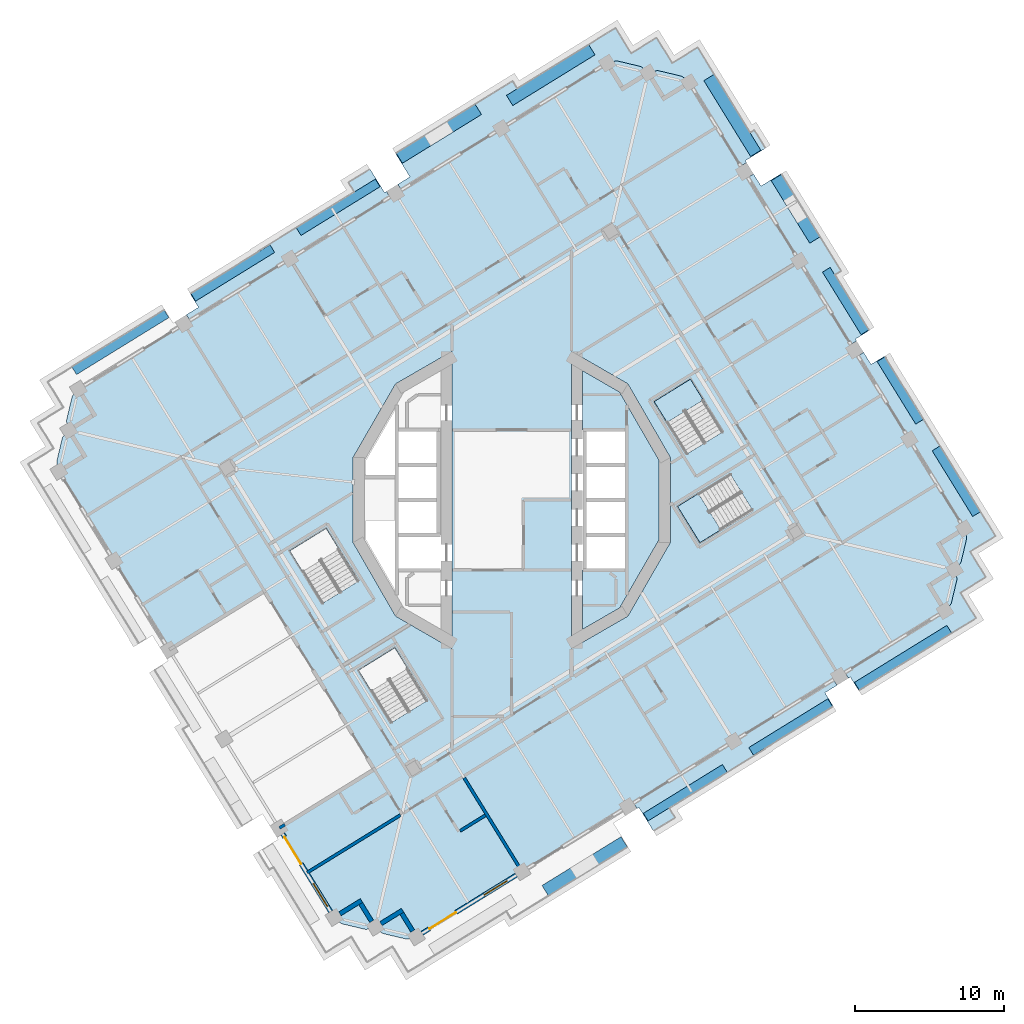
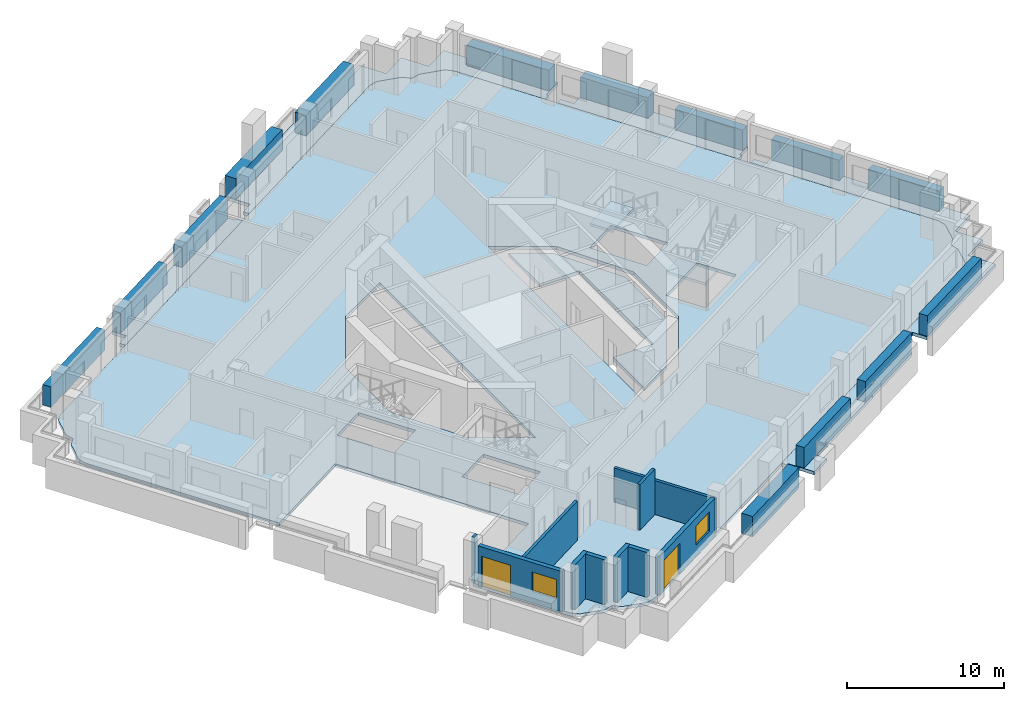
# One storey, part 3 of 20: 14 plates, 10 walls, 9 slabs, 2 doors, 2 windows, 4 openings, 2 elements without a shape of their own.
"""IFC4 building model written with IfcOpenShell, lengths in metres."""

from ifc_helpers import new_model, si_unit, direction, frame, frame_2d, origin, origin_2d, place, context, subcontext, project, spatial, polyline, rectangle, outline, extrude, material, layer, layer_set, type_object, element, fill, aggregate, save


model = new_model("IFC4")

# Units and contexts
model_context = context("Model", 3, precision=1e-05, world=origin(), true_north=direction((0.0, 1.0)))
body_context = subcontext(model_context, "Body", "Model", "MODEL_VIEW")
ifc_project = project(units=[si_unit("LENGTHUNIT", "METRE"), si_unit("AREAUNIT", "SQUARE_METRE"), si_unit("VOLUMEUNIT", "CUBIC_METRE"), si_unit("PLANEANGLEUNIT", "RADIAN"), si_unit("MASSUNIT", "GRAM", prefix="KILO")], contexts=[model_context])

# Site, building, storey
site_placement = place(None, origin())
site = spatial("IfcSite", under=ifc_project, at=site_placement, CompositionType="ELEMENT")
building_placement = place(site_placement, origin())
building = spatial("IfcBuilding", under=site, at=building_placement, Name="Cantera Rosa Tower", CompositionType="ELEMENT")
storey_placement = place(building_placement, frame((0.0, 0.0, 159.0)))
storey = spatial("IfcBuildingStorey", under=building, at=storey_placement, Name="L34", CompositionType="ELEMENT", Elevation=159.0)

# Slabs
ifc_material_1 = material(Name="Concrete C35/45", Category="concrete")
ifc_layer_1 = layer(ifc_material_1, 0.25)
ifc_layer_set_1 = layer_set([ifc_layer_1], Name="COMPOSITE FLOOR SLAB 250 C35/45")
slab_type_1 = type_object("IfcSlabType", Name="COMPOSITE FLOOR SLAB 250 C35/45", PredefinedType="FLOOR", material=ifc_layer_set_1)
slab_1_placement = place(storey_placement, frame((0.0, 0.0, -0.25)))
element("IfcSlab", 1, at=slab_1_placement, inside=storey, type_object=slab_type_1, Name="SLAB L34 floor 2", PredefinedType="FLOOR", context=body_context, shape_type="SweptSolid", body=[
    extrude(outline(polyline([(-8.673828125, -29.014892578125), (-8.698486328125, -28.998779296875), (-8.721435546875, -28.98046875), (-9.14208984375, -28.60888671875), (-9.684814453125, -28.752197265625), (-9.713623046875, -28.75830078125), (-9.742919921875, -28.761474609375), (-9.772216796875, -28.76171875), (-9.801513671875, -28.75927734375), (-9.83056640625, -28.75390625), (-11.34423828125, -28.395263671875), (-11.37255859375, -28.386962890625), (-11.39990234375, -28.376220703125), (-11.426025390625, -28.362548828125), (-11.45068359375, -28.346435546875), (-11.4736328125, -28.328125), (-11.894287109375, -27.95654296875), (-12.408935546875, -27.122314453125), (-15.57958984375, -21.981689453125), (-9.1962890625, -18.04443359375), (-16.56689453125, -6.0947265625), (-22.950439453125, -10.031982421875), (-30.321044921875, 1.917724609375), (-30.46435546875, 2.460205078125), (-30.470458984375, 2.489013671875), (-30.4736328125, 2.518310546875), (-30.47412109375, 2.5478515625), (-30.4716796875, 2.5771484375), (-30.46630859375, 2.606201171875), (-30.107421875, 4.119873046875), (-30.09912109375, 4.148193359375), (-30.08837890625, 4.17529296875), (-30.07470703125, 4.20166015625), (-30.05859375, 4.226318359375), (-30.040283203125, 4.249267578125), (-29.668701171875, 4.669921875), (-29.81201171875, 5.21240234375), (-29.818115234375, 5.2412109375), (-29.8212890625, 5.2705078125), (-29.82177734375, 5.300048828125), (-29.8193359375, 5.329345703125), (-29.81396484375, 5.3583984375), (-29.455078125, 6.8720703125), (-29.447021484375, 6.900390625), (-29.43603515625, 6.927490234375), (-29.422607421875, 6.953857421875), (-29.406494140625, 6.978515625), (-29.38818359375, 7.00146484375), (-29.0166015625, 7.422119140625), (6.389892578125, 29.260986328125), (6.9326171875, 29.404296875), (6.96142578125, 29.410400390625), (6.99072265625, 29.413818359375), (7.02001953125, 29.4140625), (7.049560546875, 29.41162109375), (7.078369140625, 29.40625), (8.592041015625, 29.047607421875), (8.620361328125, 29.039306640625), (8.647705078125, 29.0283203125), (8.673828125, 29.014892578125), (8.698486328125, 28.998779296875), (8.721435546875, 28.98046875), (9.14208984375, 28.60888671875), (9.684814453125, 28.752197265625), (9.713623046875, 28.75830078125), (9.742919921875, 28.761474609375), (9.772216796875, 28.76171875), (9.801513671875, 28.75927734375), (9.83056640625, 28.75390625), (11.34423828125, 28.395263671875), (11.37255859375, 28.386962890625), (11.39990234375, 28.376220703125), (11.426025390625, 28.362548828125), (11.45068359375, 28.346435546875), (11.4736328125, 28.328125), (11.894287109375, 27.95654296875), (30.321044921875, -1.917724609375), (30.46435546875, -2.460205078125), (30.470458984375, -2.489013671875), (30.4736328125, -2.518310546875), (30.47412109375, -2.5478515625), (30.4716796875, -2.5771484375), (30.46630859375, -2.606201171875), (30.107421875, -4.119873046875), (30.09912109375, -4.148193359375), (30.08837890625, -4.17529296875), (30.07470703125, -4.20166015625), (30.05859375, -4.226318359375), (30.040283203125, -4.249267578125), (29.668701171875, -4.669921875), (29.81201171875, -5.21240234375), (29.818115234375, -5.2412109375), (29.8212890625, -5.2705078125), (29.82177734375, -5.300048828125), (29.8193359375, -5.329345703125), (29.81396484375, -5.3583984375), (29.455078125, -6.8720703125), (29.447021484375, -6.900390625), (29.43603515625, -6.927490234375), (29.422607421875, -6.953857421875), (29.406494140625, -6.978515625), (29.38818359375, -7.00146484375), (29.0166015625, -7.422119140625), (28.18212890625, -7.9365234375), (-6.389892578125, -29.260986328125), (-6.9326171875, -29.404296875), (-6.96142578125, -29.410400390625), (-6.99072265625, -29.413818359375), (-7.02001953125, -29.4140625), (-7.049560546875, -29.41162109375), (-7.078369140625, -29.40625), (-8.592041015625, -29.047607421875), (-8.620361328125, -29.039306640625), (-8.647705078125, -29.0283203125), (-8.673828125, -29.014892578125)]), holes=[polyline([(-7.830810546875, -9.911376953125), (-10.256591796875, -11.407470703125), (-8.084228515625, -14.929443359375), (-5.658447265625, -13.433349609375), (-7.830810546875, -9.911376953125)]), polyline([(-12.430908203125, -1.911376953125), (-14.8564453125, -3.407470703125), (-12.68408203125, -6.929443359375), (-10.258544921875, -5.433349609375), (-12.430908203125, -1.911376953125)]), polyline([(-10.625244140625, 2.846923828125), (-10.625244140625, -2.846923828125), (-7.7783203125, -7.7783203125), (-4.0, -9.95947265625), (-4.0, 9.95947265625), (-7.7783203125, 7.7783203125), (-10.625244140625, 2.846923828125)]), polyline([(11.111328125, -0.430908203125), (12.607421875, -2.8564453125), (16.12939453125, -0.68408203125), (14.63330078125, 1.741455078125), (11.111328125, -0.430908203125)]), polyline([(10.625244140625, -2.846923828125), (10.625244140625, 2.846923828125), (7.7783203125, 7.7783203125), (4.0, 9.95947265625), (4.0, -9.95947265625), (7.7783203125, -7.7783203125), (10.625244140625, -2.846923828125)]), polyline([(11.96923828125, 8.088623046875), (9.54345703125, 6.592529296875), (11.7158203125, 3.070556640625), (14.1416015625, 4.566650390625), (11.96923828125, 8.088623046875)])]), origin(), (0.0, 0.0, 1.0), 0.25),
])
slab_2_placement = place(storey_placement, frame((0.0, 0.0, -0.25)))
element("IfcSlab", 2, at=slab_2_placement, inside=storey, type_object=slab_type_1, Name="SLAB L34 floor 3", PredefinedType="FLOOR", context=body_context, shape_type="SweptSolid", body=[
    extrude(outline(polyline([(7.699951171875, 2.35009765625), (7.699951171875, 4.699951171875), (4.75, 4.699951171875), (4.75, 8.660400390625), (7.22900390625, 7.22900390625), (9.875244140625, 2.64599609375), (9.875244140625, -2.64599609375), (7.22900390625, -7.22900390625), (4.75, -8.660400390625), (4.75, -4.699951171875), (7.699951171875, -4.699951171875), (7.699951171875, -2.35009765625), (7.699951171875, 0.0), (7.699951171875, 2.35009765625)])), origin(), (0.0, 0.0, 1.0), 0.25),
])
ifc_material_2 = material(Name="Concrete C35/45", Category="concrete")
ifc_layer_2 = layer(ifc_material_2, 0.25)
ifc_layer_set_2 = layer_set([ifc_layer_2], Name="LOGGIA SLAB 250 C35/45")
slab_type_2 = type_object("IfcSlabType", Name="LOGGIA SLAB 250 C35/45", PredefinedType="FLOOR", material=ifc_layer_set_2)
slab_3_placement = place(storey_placement, frame((0.0, 0.0, -0.25)))
element("IfcSlab", 3, at=slab_3_placement, inside=storey, type_object=slab_type_2, Name="LOGGIA SLAB L34 2", PredefinedType="FLOOR", context=body_context, shape_type="SweptSolid", body=[
    extrude(outline(polyline([(-9.48583984375, 22.16015625), (-8.51953125, 20.593505859375), (-8.391845703125, 20.672119140625), (-8.155517578125, 20.289306640625), (-21.55224609375, 12.026123046875), (-21.788330078125, 12.4091796875), (-20.97998046875, 12.90771484375), (-21.531005859375, 13.801513671875), (-21.446044921875, 13.85400390625), (-16.952392578125, 16.625732421875), (-16.973388671875, 16.659912109375), (-10.531005859375, 20.6337890625), (-10.9248046875, 21.272705078125), (-9.48583984375, 22.16015625)])), origin(), (0.0, 0.0, 1.0), 0.25),
])
slab_4_placement = place(storey_placement, frame((0.0, 0.0, -0.25)))
element("IfcSlab", 4, at=slab_4_placement, inside=storey, type_object=slab_type_2, Name="LOGGIA SLAB L34 4", PredefinedType="FLOOR", context=body_context, shape_type="SweptSolid", body=[
    extrude(outline(polyline([(7.994384765625, 29.898193359375), (8.249755859375, 30.0556640625), (9.696533203125, 30.9482421875), (10.589111328125, 29.501220703125), (10.74658203125, 29.245849609375), (11.001953125, 29.4033203125), (12.44873046875, 30.2958984375), (13.34130859375, 28.84912109375), (15.96533203125, 24.5947265625), (16.239013671875, 24.763427734375), (16.985107421875, 23.5537109375), (15.647705078125, 22.728515625), (15.7265625, 22.600830078125), (15.343505859375, 22.36474609375), (11.894287109375, 27.95654296875), (11.4736328125, 28.328125), (11.45068359375, 28.346435546875), (11.426025390625, 28.362548828125), (11.39990234375, 28.376220703125), (11.37255859375, 28.386962890625), (11.34423828125, 28.395263671875), (9.83056640625, 28.75390625), (9.801513671875, 28.75927734375), (9.772216796875, 28.76171875), (9.742919921875, 28.761474609375), (9.713623046875, 28.75830078125), (9.684814453125, 28.752197265625), (9.14208984375, 28.60888671875), (8.721435546875, 28.98046875), (8.698486328125, 28.998779296875), (8.673828125, 29.014892578125), (8.647705078125, 29.0283203125), (8.620361328125, 29.039306640625), (8.592041015625, 29.047607421875), (7.078369140625, 29.40625), (7.049560546875, 29.41162109375), (7.02001953125, 29.4140625), (6.99072265625, 29.413818359375), (6.96142578125, 29.410400390625), (6.9326171875, 29.404296875), (6.389892578125, 29.260986328125), (-7.3896484375, 20.76171875), (-7.625732421875, 21.144775390625), (-6.8173828125, 21.643310546875), (-7.78369140625, 23.210205078125), (0.055908203125, 28.04541015625), (0.365966796875, 27.542724609375), (5.49755859375, 30.7080078125), (6.9443359375, 31.600341796875), (7.8369140625, 30.153564453125), (7.994384765625, 29.898193359375)])), origin(), (0.0, 0.0, 1.0), 0.25),
])
slab_5_placement = place(storey_placement, frame((0.0, 0.0, -0.25)))
element("IfcSlab", 5, at=slab_5_placement, inside=storey, type_object=slab_type_2, Name="LOGGIA SLAB L34 5", PredefinedType="FLOOR", context=body_context, shape_type="SweptSolid", body=[
    extrude(outline(polyline([(21.55224609375, -12.026123046875), (21.788330078125, -12.4091796875), (20.97998046875, -12.90771484375), (21.531005859375, -13.801513671875), (21.446044921875, -13.85400390625), (16.952392578125, -16.625732421875), (16.973388671875, -16.659912109375), (10.531005859375, -20.6337890625), (10.9248046875, -21.272705078125), (9.48583984375, -22.16015625), (8.51953125, -20.593505859375), (8.391845703125, -20.672119140625), (8.155517578125, -20.289306640625), (21.55224609375, -12.026123046875)])), origin(), (0.0, 0.0, 1.0), 0.25),
])
slab_6_placement = place(storey_placement, frame((0.0, 0.0, -0.25)))
element("IfcSlab", 6, at=slab_6_placement, inside=storey, type_object=slab_type_2, Name="LOGGIA SLAB L34 6", PredefinedType="FLOOR", context=body_context, shape_type="SweptSolid", body=[
    extrude(outline(polyline([(22.714111328125, 10.4150390625), (15.81591796875, 21.5986328125), (16.198974609375, 21.8349609375), (16.69775390625, 21.0263671875), (18.03515625, 21.851318359375), (22.046875, 15.347412109375), (21.62939453125, 15.090087890625), (23.9384765625, 11.346435546875), (23.018310546875, 10.77880859375), (23.09716796875, 10.651123046875), (22.714111328125, 10.4150390625)])), origin(), (0.0, 0.0, 1.0), 0.25),
])
slab_7_placement = place(storey_placement, frame((0.0, 0.0, -0.25)))
element("IfcSlab", 7, at=slab_7_placement, inside=storey, type_object=slab_type_2, Name="LOGGIA SLAB L34 7", PredefinedType="FLOOR", context=body_context, shape_type="SweptSolid", body=[
    extrude(outline(polyline([(32.38525390625, -2.406982421875), (31.1083984375, -3.1943359375), (30.682861328125, -3.456787109375), (30.9453125, -3.88232421875), (31.73291015625, -5.1591796875), (30.456298828125, -5.946533203125), (30.03076171875, -6.208984375), (30.293212890625, -6.634521484375), (31.08056640625, -7.911376953125), (29.803955078125, -8.69873046875), (23.999267578125, -12.279052734375), (23.2333984375, -12.75146484375), (22.68212890625, -11.85791015625), (22.554443359375, -11.9365234375), (22.318115234375, -11.5537109375), (28.18212890625, -7.9365234375), (29.0166015625, -7.422119140625), (29.38818359375, -7.00146484375), (29.406494140625, -6.978515625), (29.422607421875, -6.953857421875), (29.43603515625, -6.927490234375), (29.447021484375, -6.900390625), (29.455078125, -6.8720703125), (29.81396484375, -5.3583984375), (29.8193359375, -5.329345703125), (29.82177734375, -5.300048828125), (29.8212890625, -5.2705078125), (29.818115234375, -5.2412109375), (29.81201171875, -5.21240234375), (29.668701171875, -4.669921875), (30.040283203125, -4.249267578125), (30.05859375, -4.226318359375), (30.07470703125, -4.20166015625), (30.08837890625, -4.17529296875), (30.09912109375, -4.148193359375), (30.107421875, -4.119873046875), (30.46630859375, -2.606201171875), (30.4716796875, -2.5771484375), (30.47412109375, -2.5478515625), (30.4736328125, -2.518310546875), (30.470458984375, -2.489013671875), (30.46435546875, -2.460205078125), (30.321044921875, -1.917724609375), (23.1865234375, 9.64892578125), (23.569580078125, 9.88525390625), (24.068359375, 9.07666015625), (24.98828125, 9.64404296875), (25.05712890625, 9.53271484375), (25.03076171875, 9.5166015625), (27.125, 6.121337890625), (28.69970703125, 3.568115234375), (31.59765625, -1.130126953125), (32.38525390625, -2.406982421875)])), origin(), (0.0, 0.0, 1.0), 0.25),
])

# Plates
ifc_material_3 = material(Name="Cantera stone planter with soil", Category="masonry")
plate_type_1 = type_object("IfcPlateType", Name="PLANTER 600", PredefinedType="USERDEFINED", material=ifc_material_3)
plate_1_placement = place(storey_placement, frame((29.775390625, 1.2529296875, 0.0), z_axis=(0.0, 0.0, 1.0), x_axis=(-0.52497658034, 0.851116672434, 0.0)))
element("IfcPlate", 8, at=plate_1_placement, inside=storey, type_object=plate_type_1, Name="PLANTER L34-01", ObjectType="PLANTER", PredefinedType="USERDEFINED", context=body_context, shape_type="SweptSolid", body=[
    extrude(rectangle(XDim=5.169921875, YDim=0.60009765625, at=origin_2d()), origin(), (0.0, 0.0, 1.0), 1.60009765625),
])
for number, where, z_axis, x_axis, name in (
    (9, (26.0244140625, 7.333984375, 0.0), (0.0, 0.0, 1.0), (-0.52497658034, 0.851116672434, 0.0), "PLANTER L34-02"),
    (10, (22.365478515625, 13.3251953125, 0.0), (0.0, 0.0, 1.0), (-0.52497658034, 0.851116672434, 0.0), "PLANTER L34-03"),
):
    element("IfcPlate", number, at=place(storey_placement, frame(where, z_axis=z_axis, x_axis=x_axis)), inside=storey, type_object=plate_type_1, Name=name, ObjectType="PLANTER", PredefinedType="USERDEFINED", context=body_context, shape_type="SweptSolid", body=[
        extrude(rectangle(XDim=4.919921875, YDim=0.60009765625, at=origin_2d()), origin(), (0.0, 0.0, 1.0), 1.60009765625),
    ])
for number, where, z_axis, x_axis, name in (
    (11, (-11.6240234375, 19.607177734375, 0.0), (0.0, 0.0, 1.0), (-0.851116672434, -0.52497658034, 0.0), "PLANTER L34-08"),
    (12, (-18.68408203125, 15.205078125, 0.0), (0.0, 0.0, 1.0), (-0.851116672434, -0.52497658034, 0.0), "PLANTER L34-09"),
):
    element("IfcPlate", number, at=place(storey_placement, frame(where, z_axis=z_axis, x_axis=x_axis)), inside=storey, type_object=plate_type_1, Name=name, ObjectType="PLANTER", PredefinedType="USERDEFINED", context=body_context, shape_type="SweptSolid", body=[
        extrude(rectangle(XDim=6.219970703125, YDim=0.60009765625, at=origin_2d()), origin(), (0.0, 0.0, 1.0), 1.60009765625),
    ])
plate_2_placement = place(storey_placement, frame((-26.212158203125, 10.561767578125, 0.0), z_axis=(0.0, 0.0, 1.0), x_axis=(-0.851116672434, -0.52497658034, 0.0)))
element("IfcPlate", 13, at=plate_2_placement, inside=storey, type_object=plate_type_1, Name="PLANTER L34-10", ObjectType="PLANTER", PredefinedType="USERDEFINED", context=body_context, shape_type="SweptSolid", body=[
    extrude(rectangle(XDim=7.27001953125, YDim=0.60009765625, at=origin_2d()), origin(), (0.0, 0.0, 1.0), 1.60009765625),
])
for number, where, z_axis, x_axis, name in (
    (14, (11.6240234375, -19.607177734375, 0.0), (0.0, 0.0, 1.0), (0.851116672434, 0.52497658034, 0.0), "PLANTER L34-18"),
    (15, (18.68408203125, -15.205078125, 0.0), (0.0, 0.0, 1.0), (0.851116672434, 0.52497658034, 0.0), "PLANTER L34-19"),
):
    element("IfcPlate", number, at=place(storey_placement, frame(where, z_axis=z_axis, x_axis=x_axis)), inside=storey, type_object=plate_type_1, Name=name, ObjectType="PLANTER", PredefinedType="USERDEFINED", context=body_context, shape_type="SweptSolid", body=[
        extrude(rectangle(XDim=6.219970703125, YDim=0.60009765625, at=origin_2d()), origin(), (0.0, 0.0, 1.0), 1.60009765625),
    ])
plate_3_placement = place(storey_placement, frame((26.212158203125, -10.561767578125, 0.0), z_axis=(0.0, 0.0, 1.0), x_axis=(0.851116672434, 0.52497658034, 0.0)))
element("IfcPlate", 16, at=plate_3_placement, inside=storey, type_object=plate_type_1, Name="PLANTER L34-20", ObjectType="PLANTER", PredefinedType="USERDEFINED", context=body_context, shape_type="SweptSolid", body=[
    extrude(rectangle(XDim=7.27001953125, YDim=0.60009765625, at=origin_2d()), origin(), (0.0, 0.0, 1.0), 1.60009765625),
])
ifc_material_4 = material(Name="Cantera stone planter with soil", Category="masonry")
plate_type_2 = type_object("IfcPlateType", Name="PLANTER 800", PredefinedType="USERDEFINED", material=ifc_material_4)
plate_4_placement = place(storey_placement, frame((19.012451171875, 19.505126953125, 0.0), z_axis=(0.0, 0.0, 1.0), x_axis=(-0.52497658034, 0.851116672434, 0.0)))
element("IfcPlate", 17, at=plate_4_placement, inside=storey, type_object=plate_type_2, Name="PLANTER L34-04", ObjectType="PLANTER", PredefinedType="USERDEFINED", context=body_context, shape_type="SweptSolid", body=[
    extrude(rectangle(XDim=4.919921875, YDim=0.800048828125, at=origin_2d()), origin(), (0.0, 0.0, 1.0), 1.60009765625),
])
plate_5_placement = place(storey_placement, frame((14.77783203125, 25.758056640625, 0.0), z_axis=(0.0, 0.0, 1.0), x_axis=(-0.52497658034, 0.851116672434, 0.0)))
element("IfcPlate", 18, at=plate_5_placement, inside=storey, type_object=plate_type_2, Name="PLANTER L34-05", ObjectType="PLANTER", PredefinedType="USERDEFINED", context=body_context, shape_type="SweptSolid", body=[
    extrude(rectangle(XDim=5.969970703125, YDim=0.800048828125, at=origin_2d()), origin(), (0.0, 0.0, 1.0), 1.60009765625),
])
plate_6_placement = place(storey_placement, frame((2.61376953125, 28.459228515625, 0.0), z_axis=(0.0, 0.0, 1.0), x_axis=(-0.851116672434, -0.52497658034, 0.0)))
element("IfcPlate", 19, at=plate_6_placement, inside=storey, type_object=plate_type_2, Name="PLANTER L34-06", ObjectType="PLANTER", PredefinedType="USERDEFINED", context=body_context, shape_type="SweptSolid", body=[
    extrude(rectangle(XDim=6.469970703125, YDim=0.800048828125, at=origin_2d()), origin(), (0.0, 0.0, 1.0), 1.60009765625),
])
for number, where, z_axis, x_axis, name in (
    (20, (-4.884033203125, 24.528564453125, 0.0), (0.0, 0.0, 1.0), (-0.851116672434, -0.52497658034, 0.0), "PLANTER L34-07"),
    (21, (4.884033203125, -24.528564453125, 0.0), (0.0, 0.0, 1.0), (0.851116672434, 0.52497658034, 0.0), "PLANTER L34-17"),
):
    element("IfcPlate", number, at=place(storey_placement, frame(where, z_axis=z_axis, x_axis=x_axis)), inside=storey, type_object=plate_type_2, Name=name, ObjectType="PLANTER", PredefinedType="USERDEFINED", context=body_context, shape_type="SweptSolid", body=[
        extrude(rectangle(XDim=6.219970703125, YDim=0.800048828125, at=origin_2d()), origin(), (0.0, 0.0, 1.0), 1.60009765625),
    ])

# Stair, slab
ifc_material_5 = material(Name="Concrete C35/45", Category="concrete")
stair_type = type_object("IfcStairType", Name="EXIT STAIR 1350 DOGLEG", PredefinedType="HALF_TURN_STAIR", material=ifc_material_5)
stair_1_placement = place(storey_placement, origin())
stair_1 = element("IfcStair", 22, at=stair_1_placement, inside=storey, type_object=stair_type, Name="L34 ST-31", PredefinedType="HALF_TURN_STAIR")
ifc_material_6 = material(Name="Concrete C35/45", Category="concrete")
ifc_layer_3 = layer(ifc_material_6, 0.199951171875)
ifc_layer_set_3 = layer_set([ifc_layer_3], Name="STAIR LANDING 200")
slab_type_3 = type_object("IfcSlabType", Name="STAIR LANDING 200", PredefinedType="LANDING", material=ifc_layer_set_3)
slab_8_placement = place(storey_placement, frame((0.0, 0.0, 1.699951171875)))
slab_8 = element("IfcSlab", 23, at=slab_8_placement, type_object=slab_type_3, Name="ST-31 landing 1", PredefinedType="LANDING", context=body_context, shape_type="SweptSolid", body=[
    extrude(outline(polyline([(12.8310546875, 6.691162109375), (11.96923828125, 8.088623046875), (9.54345703125, 6.592529296875), (10.405517578125, 5.19482421875), (12.8310546875, 6.691162109375)])), origin(), (0.0, 0.0, 1.0), 0.199951171875),
])
aggregate(stair_1, [slab_8])

stair_2_placement = place(storey_placement, origin())
stair_2 = element("IfcStair", 24, at=stair_2_placement, inside=storey, type_object=stair_type, Name="L34 ST-34", PredefinedType="HALF_TURN_STAIR")
slab_9_placement = place(storey_placement, frame((0.0, 0.0, 1.699951171875)))
slab_9 = element("IfcSlab", 25, at=slab_9_placement, type_object=slab_type_3, Name="ST-34 landing 1", PredefinedType="LANDING", context=body_context, shape_type="SweptSolid", body=[
    extrude(outline(polyline([(12.5087890625, 0.43115234375), (11.111328125, -0.430908203125), (12.607421875, -2.8564453125), (14.005126953125, -1.99462890625), (12.5087890625, 0.43115234375)])), origin(), (0.0, 0.0, 1.0), 0.199951171875),
])
aggregate(stair_2, [slab_9])

# Walls
ifc_material_7 = material(Name="Hollow clay masonry with cantera stone cladding", Category="masonry")
ifc_layer_4 = layer(ifc_material_7, 0.300048828125)
ifc_layer_set_4 = layer_set([ifc_layer_4], Name="EW-LOGGIA 300")
wall_type_1 = type_object("IfcWallType", Name="EW-LOGGIA 300", PredefinedType="SOLIDWALL", material=ifc_layer_set_4)
wall_1_placement = place(storey_placement, frame((-11.51123046875, -27.72021484375, 0.0), z_axis=(0.0, 0.0, 1.0), x_axis=(0.851130227454, 0.524954603669, 0.0)))
element("IfcWall", 26, at=wall_1_placement, inside=storey, type_object=wall_type_1, Name="EN-L34-W20a", PredefinedType="SOLIDWALL", context=body_context, shape_type="SweptSolid", body=[
    extrude(rectangle(XDim=1.699951171875, YDim=0.300048828125, at=frame_2d((0.85009765625, 0.0))), origin(), (0.0, 0.0, 1.0), 3.5),
])
wall_2_placement = place(storey_placement, frame((-10.11328125, -27.0341796875, 0.0), z_axis=(0.0, 0.0, 1.0), x_axis=(0.524895019961, -0.85116697423, 0.0)))
element("IfcWall", 27, at=wall_2_placement, inside=storey, type_object=wall_type_1, Name="EN-L34-W20b", PredefinedType="SOLIDWALL", context=body_context, shape_type="SweptSolid", body=[
    extrude(rectangle(XDim=1.39990234375, YDim=0.300048828125, at=frame_2d((0.699951171875, 0.0))), origin(), (0.0, 0.0, 1.0), 3.5),
])
wall_3_placement = place(storey_placement, frame((-8.75927734375, -28.37255859375, 0.0), z_axis=(0.0, 0.0, 1.0), x_axis=(0.851105638601, 0.524994468487, 0.0)))
element("IfcWall", 28, at=wall_3_placement, inside=storey, type_object=wall_type_1, Name="EN-L34-W21a", PredefinedType="SOLIDWALL", context=body_context, shape_type="SweptSolid", body=[
    extrude(rectangle(XDim=1.7001953125, YDim=0.300048828125, at=frame_2d((0.85009765625, 0.0))), origin(), (0.0, 0.0, 1.0), 3.5),
])
wall_4_placement = place(storey_placement, frame((-7.361083984375, -27.6865234375, 0.0), z_axis=(0.0, 0.0, 1.0), x_axis=(0.524895019961, -0.85116697423, 0.0)))
element("IfcWall", 29, at=wall_4_placement, inside=storey, type_object=wall_type_1, Name="EN-L34-W21b", PredefinedType="SOLIDWALL", context=body_context, shape_type="SweptSolid", body=[
    extrude(rectangle(XDim=1.39990234375, YDim=0.300048828125, at=frame_2d((0.699951171875, 0.0))), origin(), (0.0, 0.0, 1.0), 3.5),
])

# Wall, openings, window, door
ifc_material_8 = material(Name="Hollow clay masonry with cantera stone cladding", Category="masonry")
ifc_layer_5 = layer(ifc_material_8, 0.300048828125)
ifc_layer_set_5 = layer_set([ifc_layer_5], Name="EW-LOGGIA 300 H3020")
wall_type_2 = type_object("IfcWallType", Name="EW-LOGGIA 300 H3020", PredefinedType="SOLIDWALL", material=ifc_layer_set_5)
wall_5_placement = place(storey_placement, frame((-6.007080078125, -29.02490234375, 0.0), z_axis=(0.0, 0.0, 1.0), x_axis=(0.851111085575, 0.524985637909, 0.0)))
wall_5 = element("IfcWall", 30, at=wall_5_placement, inside=storey, type_object=wall_type_2, Name="EN-L34-W22", PredefinedType="SOLIDWALL", context=body_context, shape_type="SweptSolid", body=[
    extrude(rectangle(XDim=7.420166015625, YDim=0.300048828125, at=frame_2d((3.7099609375, 0.0))), origin(), (0.0, 0.0, 1.0), 3.02001953125),
])
opening_1_placement = place(wall_5_placement, frame((0.580078125, 0.0, 0.0)))
opening_1 = element("IfcOpeningElement", 31, at=opening_1_placement, cuts=wall_5, Name="Opening L34-TD27", PredefinedType="OPENING", context=body_context, shape_type="SweptSolid", body=[
    extrude(rectangle(XDim=2.10009765625, YDim=2.39990234375, at=frame_2d((1.050048828125, 1.199951171875))), frame((0.0, 0.159912109375, 0.0), z_axis=(0.0, -1.0, 0.0), x_axis=(1.0, 0.0, 0.0)), (0.0, 0.0, 1.0), 0.320068359375),
])
opening_2_placement = place(wall_5_placement, frame((4.889892578125, 0.0, 0.89990234375)))
opening_2 = element("IfcOpeningElement", 32, at=opening_2_placement, cuts=wall_5, Name="Opening L34-W28", PredefinedType="OPENING", context=body_context, shape_type="SweptSolid", body=[
    extrude(rectangle(XDim=1.800048828125, YDim=1.5, at=frame_2d((0.89990234375, 0.75))), frame((0.0, 0.159912109375, 0.0), z_axis=(0.0, -1.0, 0.0), x_axis=(1.0, 0.0, 0.0)), (0.0, 0.0, 1.0), 0.320068359375),
])
ifc_material_9 = material(Name="Aluminium frame with clear glass", Category="aluminium")
window_type = type_object("IfcWindowType", Name="Hotel room window 1800x1500", PartitioningType="DOUBLE_PANEL_VERTICAL", PredefinedType="WINDOW", material=ifc_material_9)
window_1_placement = place(opening_2_placement, origin())
window_1 = element("IfcWindow", 33, at=window_1_placement, inside=storey, type_object=window_type, Name="WINDOW L34-W28", OverallHeight=1.5, OverallWidth=1.800048828125, PartitioningType="SINGLE_PANEL", PredefinedType="WINDOW", context=body_context, shape_type="SweptSolid", body=[
    extrude(rectangle(XDim=1.800048828125, YDim=1.5, at=frame_2d((0.89990234375, 0.75))), frame((0.0, 0.030029296875, 0.0), z_axis=(0.0, -1.0, 0.0), x_axis=(1.0, 0.0, 0.0)), (0.0, 0.0, 1.0), 0.06005859375),
])
fill(opening_2, window_1)
ifc_material_10 = material(Name="Aluminium frame with clear glass", Category="aluminium")
door_type = type_object("IfcDoorType", Name="TD-H 2100x2400", OperationType="NOTDEFINED", PredefinedType="DOOR", material=ifc_material_10)
door_1_placement = place(opening_1_placement, origin())
door_1 = element("IfcDoor", 34, at=door_1_placement, inside=storey, type_object=door_type, Name="LOGGIA DOOR L34-TD27", OperationType="SLIDING_TO_LEFT", OverallHeight=2.39990234375, OverallWidth=2.10009765625, PredefinedType="DOOR", context=body_context, shape_type="SweptSolid", body=[
    extrude(rectangle(XDim=2.10009765625, YDim=2.39990234375, at=frame_2d((1.050048828125, 1.199951171875))), frame((0.0, 0.02490234375, 0.0), z_axis=(0.0, -1.0, 0.0), x_axis=(1.0, 0.0, 0.0)), (0.0, 0.0, 1.0), 0.050048828125),
])
fill(opening_1, door_1)

ifc_material_11 = material(Name="Hollow clay masonry with cantera stone cladding", Category="masonry")
ifc_layer_6 = layer(ifc_material_11, 0.300048828125)
ifc_layer_set_6 = layer_set([ifc_layer_6], Name="EW-LOGGIA 300 H3140")
wall_type_3 = type_object("IfcWallType", Name="EW-LOGGIA 300 H3140", PredefinedType="SOLIDWALL", material=ifc_layer_set_6)
wall_6_placement = place(storey_placement, frame((-15.343505859375, -22.36474609375, 0.0), z_axis=(0.0, 0.0, 1.0), x_axis=(0.524987447654, -0.851109969279, 0.0)))
wall_6 = element("IfcWall", 35, at=wall_6_placement, inside=storey, type_object=wall_type_3, Name="EN-L34-W19", PredefinedType="SOLIDWALL", context=body_context, shape_type="SweptSolid", body=[
    extrude(rectangle(XDim=6.119873046875, YDim=0.300048828125, at=frame_2d((3.06005859375, 0.0))), origin(), (0.0, 0.0, 1.0), 3.139892578125),
])
opening_3_placement = place(wall_6_placement, frame((0.2548828125, 0.0, 0.0)))
opening_3 = element("IfcOpeningElement", 36, at=opening_3_placement, cuts=wall_6, Name="Opening L34-TD25", PredefinedType="OPENING", context=body_context, shape_type="SweptSolid", body=[
    extrude(rectangle(XDim=2.10009765625, YDim=2.39990234375, at=frame_2d((1.050048828125, 1.199951171875))), frame((0.0, 0.159912109375, 0.0), z_axis=(0.0, -1.0, 0.0), x_axis=(1.0, 0.0, 0.0)), (0.0, 0.0, 1.0), 0.320068359375),
])
opening_4_placement = place(wall_6_placement, frame((3.9150390625, 0.0, 0.89990234375)))
opening_4 = element("IfcOpeningElement", 37, at=opening_4_placement, cuts=wall_6, Name="Opening L34-W26", PredefinedType="OPENING", context=body_context, shape_type="SweptSolid", body=[
    extrude(rectangle(XDim=1.800048828125, YDim=1.5, at=frame_2d((0.89990234375, 0.75))), frame((0.0, 0.159912109375, 0.0), z_axis=(0.0, -1.0, 0.0), x_axis=(1.0, 0.0, 0.0)), (0.0, 0.0, 1.0), 0.320068359375),
])
window_2_placement = place(opening_4_placement, origin())
window_2 = element("IfcWindow", 38, at=window_2_placement, inside=storey, type_object=window_type, Name="WINDOW L34-W26", OverallHeight=1.5, OverallWidth=1.800048828125, PartitioningType="SINGLE_PANEL", PredefinedType="WINDOW", context=body_context, shape_type="SweptSolid", body=[
    extrude(rectangle(XDim=1.800048828125, YDim=1.5, at=frame_2d((0.89990234375, 0.75))), frame((0.0, 0.030029296875, 0.0), z_axis=(0.0, -1.0, 0.0), x_axis=(1.0, 0.0, 0.0)), (0.0, 0.0, 1.0), 0.06005859375),
])
fill(opening_4, window_2)
door_2_placement = place(opening_3_placement, origin())
door_2 = element("IfcDoor", 39, at=door_2_placement, inside=storey, type_object=door_type, Name="LOGGIA DOOR L34-TD25", OperationType="SLIDING_TO_LEFT", OverallHeight=2.39990234375, OverallWidth=2.10009765625, PredefinedType="DOOR", context=body_context, shape_type="SweptSolid", body=[
    extrude(rectangle(XDim=2.10009765625, YDim=2.39990234375, at=frame_2d((1.050048828125, 1.199951171875))), frame((0.0, 0.02490234375, 0.0), z_axis=(0.0, -1.0, 0.0), x_axis=(1.0, 0.0, 0.0)), (0.0, 0.0, 1.0), 0.050048828125),
])
fill(opening_3, door_2)

# Walls
ifc_material_12 = material(Name="Gypsum board partition")
ifc_layer_7 = layer(ifc_material_12, 0.199951171875)
ifc_layer_set_7 = layer_set([ifc_layer_7], Name="PARTITION 200 H3550")
wall_type_4 = type_object("IfcWallType", Name="PARTITION 200 H3550", PredefinedType="PARTITIONING", material=ifc_layer_set_7)
wall_7_placement = place(storey_placement, frame((-1.756103515625, -21.11572265625, 0.0), z_axis=(0.0, 0.0, 1.0), x_axis=(-0.851117241868, -0.524975657145, 0.0)))
element("IfcWall", 40, at=wall_7_placement, inside=storey, type_object=wall_type_4, Name="PARTITION L34-061", PredefinedType="PARTITIONING", context=body_context, shape_type="SweptSolid", body=[
    extrude(rectangle(XDim=2.000244140625, YDim=0.199951171875, at=frame_2d((1.0, 0.0))), origin(), (0.0, 0.0, 1.0), 3.550048828125),
])
ifc_material_13 = material(Name="Gypsum board partition")
ifc_layer_8 = layer(ifc_material_13, 0.199951171875)
ifc_layer_set_8 = layer_set([ifc_layer_8], Name="PARTY WALL 200 H2650")
wall_type_5 = type_object("IfcWallType", Name="PARTY WALL 200 H2650", PredefinedType="PARTITIONING", material=ifc_layer_set_8)
wall_8_placement = place(storey_placement, frame((0.675537109375, -24.86767578125, 0.0), z_axis=(0.0, 0.0, 1.0), x_axis=(-0.52498856982, 0.851109277096, 0.0)))
element("IfcWall", 41, at=wall_8_placement, inside=storey, type_object=wall_type_5, Name="PARTY WALL L34-066", PredefinedType="PARTITIONING", context=body_context, shape_type="SweptSolid", body=[
    extrude(rectangle(XDim=7.349853515625, YDim=0.199951171875, at=frame_2d((3.6748046875, 0.0))), origin(), (0.0, 0.0, 1.0), 2.64990234375),
])
ifc_material_14 = material(Name="Gypsum board partition")
ifc_layer_9 = layer(ifc_material_14, 0.199951171875)
ifc_layer_set_9 = layer_set([ifc_layer_9], Name="PARTY WALL 200 H3050")
wall_type_6 = type_object("IfcWallType", Name="PARTY WALL 200 H3050", PredefinedType="PARTITIONING", material=ifc_layer_set_9)
wall_9_placement = place(storey_placement, frame((-13.706298828125, -24.9619140625, 0.0), z_axis=(0.0, 0.0, 1.0), x_axis=(0.851118431638, 0.524973728225, 0.0)))
element("IfcWall", 42, at=wall_9_placement, inside=storey, type_object=wall_type_6, Name="PARTY WALL L34-015", PredefinedType="PARTITIONING", context=body_context, shape_type="SweptSolid", body=[
    extrude(rectangle(XDim=7.35009765625, YDim=0.199951171875, at=frame_2d((3.675048828125, 0.0))), origin(), (0.0, 0.0, 1.0), 3.050048828125),
])
ifc_material_15 = material(Name="Gypsum board partition")
ifc_layer_10 = layer(ifc_material_15, 0.199951171875)
ifc_layer_set_10 = layer_set([ifc_layer_10], Name="PARTY WALL 200 H3550")
wall_type_7 = type_object("IfcWallType", Name="PARTY WALL 200 H3550", PredefinedType="PARTITIONING", material=ifc_layer_set_10)
wall_10_placement = place(storey_placement, frame((-15.55419921875, -21.9658203125, 0.0), z_axis=(0.0, 0.0, 1.0), x_axis=(0.851118918236, 0.524972939322, 0.0)))
element("IfcWall", 43, at=wall_10_placement, inside=storey, type_object=wall_type_7, Name="PARTY WALL L34-014", PredefinedType="PARTITIONING", context=body_context, shape_type="SweptSolid", body=[
    extrude(rectangle(XDim=0.419921875, YDim=0.199951171875, at=frame_2d((0.2099609375, 0.0))), origin(), (0.0, 0.0, 1.0), 3.550048828125),
])

save(model, "model.ifc")
